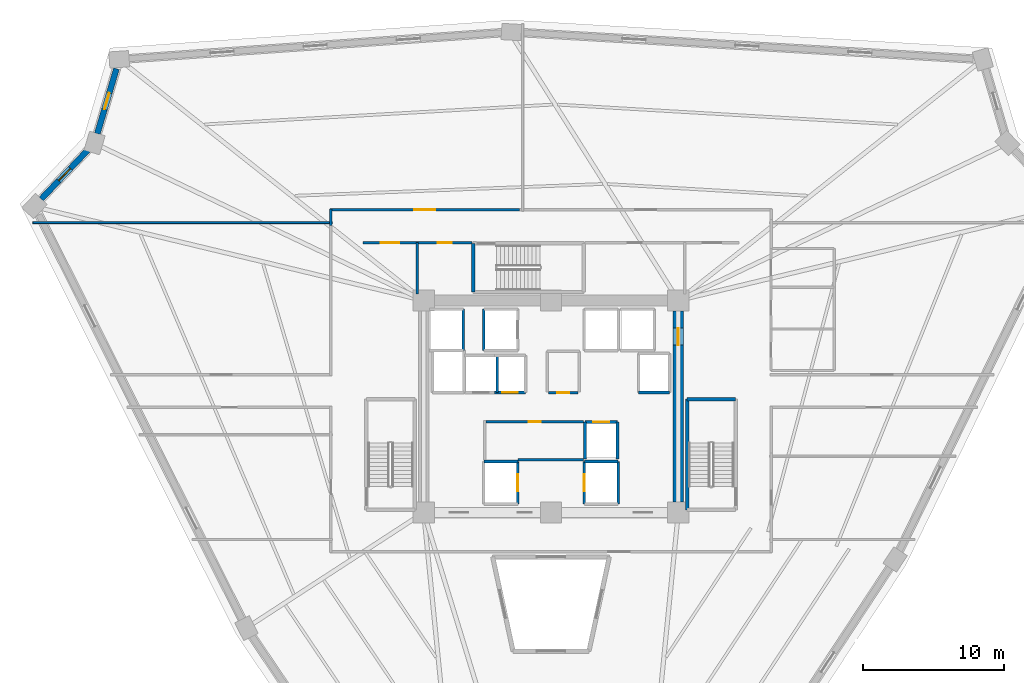
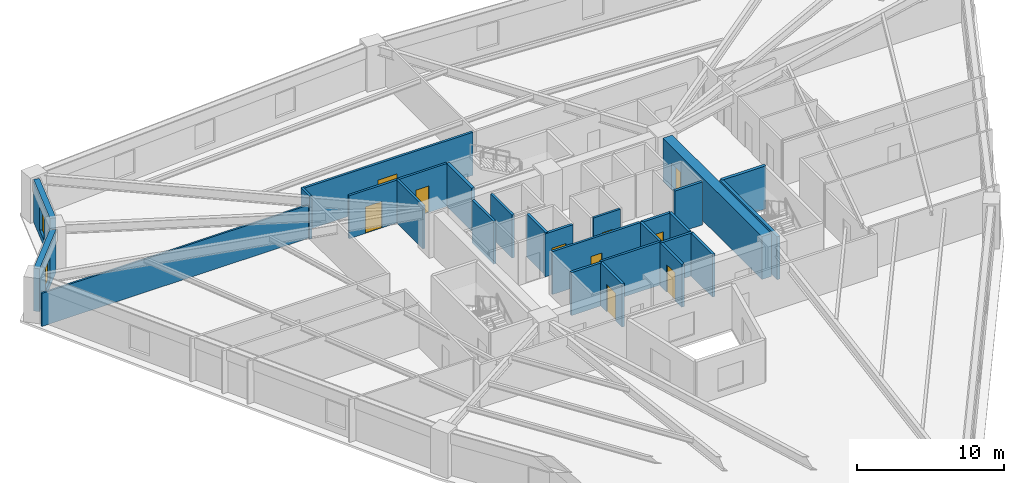
# One storey, part 4 of 7: 28 walls, 10 doors, 2 windows, 12 openings.
"""IFC4 building model written with IfcOpenShell, lengths in metres."""

import ifcopenshell
import ifcopenshell.guid

model = None  # the IFC model being written
_history = None  # IfcOwnerHistory: only IFC2X3 demands one
_inside = {}  # id of a spatial element -> (the spatial element, [elements in it])
_under = {}  # id of a project, library or spatial element -> (it, [spatial elements below it])
_declared = {}  # id of a project -> (the project, [libraries it declares])
_typed = {}  # id of a type object -> (the type object, [elements of that type])
_made_of = {}  # id of a material, layer set ... -> (it, [elements and type objects made of it])


def new_model(schema):
    """Start an empty IFC model of exactly this schema.

    Asked for "IFC4X3", IfcOpenShell would pick the latest addendum, in which some entities
    have other attributes; the version numbers below select the first issue.
    IFC2X3 requires an IfcOwnerHistory on every rooted entity: one is made here for all.
    """
    global model, _history
    if schema == "IFC4X3":
        model = ifcopenshell.file(schema_version=(4, 3, 0, 0))
    else:
        model = ifcopenshell.file(schema=schema)
    _inside.clear()
    _under.clear()
    _declared.clear()
    _typed.clear()
    _made_of.clear()
    _history = None
    if model.schema == "IFC2X3":
        org = make("IfcOrganization", Name="unknown")
        user = make(
            "IfcPersonAndOrganization",
            ThePerson=make("IfcPerson", FamilyName="unknown"),
            TheOrganization=org,
        )
        app = make(
            "IfcApplication",
            ApplicationDeveloper=org,
            Version="unknown",
            ApplicationFullName="unknown",
            ApplicationIdentifier="unknown",
        )
        _history = make(
            "IfcOwnerHistory",
            OwningUser=user,
            OwningApplication=app,
            ChangeAction="ADDED",
            CreationDate=0,
        )
    return model


def make(cls, **values):
    """One entity of the class cls with the attributes given. An attribute that is None is left unset."""
    return model.create_entity(
        cls, **{name: value for name, value in values.items() if value is not None}
    )


def rooted(cls, **values):
    """An entity with a GlobalId (a new one), such as an element, a storey or a relation."""
    return make(cls, GlobalId=ifcopenshell.guid.new(), OwnerHistory=_history, **values)


def si_unit(unit_type, name, prefix=None):
    """IfcSIUnit, for example si_unit("LENGTHUNIT", "METRE", prefix="MILLI")."""
    return make("IfcSIUnit", UnitType=unit_type, Prefix=prefix, Name=name)


def assignment(units):
    """IfcUnitAssignment: the units of a project."""
    return None if units is None else make("IfcUnitAssignment", Units=units)


def point(xyz):
    """IfcCartesianPoint."""
    return None if xyz is None else make("IfcCartesianPoint", Coordinates=xyz)


def direction(xyz):
    """IfcDirection."""
    return None if xyz is None else make("IfcDirection", DirectionRatios=xyz)


def frame(location, z_axis=None, x_axis=None):
    """IfcAxis2Placement3D, a coordinate frame: its origin and axes. An axis left out is left unset."""
    return make(
        "IfcAxis2Placement3D",
        Location=point(location),
        Axis=direction(z_axis),
        RefDirection=direction(x_axis),
    )


def frame_2d(location, x_axis=None):
    """IfcAxis2Placement2D, a coordinate frame in the plane: its origin and x axis."""
    return make(
        "IfcAxis2Placement2D", Location=point(location), RefDirection=direction(x_axis)
    )


def origin():
    """The frame at (0, 0, 0) with its axes left unset."""
    return frame((0.0, 0.0, 0.0))


def place(relative_to, where):
    """IfcLocalPlacement: puts the frame where relative to a parent placement (None: the world)."""
    return make(
        "IfcLocalPlacement", PlacementRelTo=relative_to, RelativePlacement=where
    )


def context(
    kind, dimensions, precision=None, world=None, true_north=None, identifier=None
):
    """IfcGeometricRepresentationContext, for example the 3D "Model" context."""
    return make(
        "IfcGeometricRepresentationContext",
        ContextIdentifier=identifier,
        ContextType=kind,
        CoordinateSpaceDimension=dimensions,
        Precision=precision,
        WorldCoordinateSystem=world,
        TrueNorth=true_north,
    )


def subcontext(parent, identifier, kind, view, scale=None):
    """IfcGeometricRepresentationSubContext, for example "Body" below "Model"."""
    return make(
        "IfcGeometricRepresentationSubContext",
        ContextIdentifier=identifier,
        ContextType=kind,
        ParentContext=parent,
        TargetScale=scale,
        TargetView=view,
    )


def project(units=None, contexts=None):
    """IfcProject with its units and contexts."""
    return rooted(
        "IfcProject",
        Name="project",
        RepresentationContexts=contexts,
        UnitsInContext=assignment(units),
    )


def spatial(cls, under=None, at=None, **own):
    """A site, building, storey or space (cls), placed at a placement, below another one or the project."""
    s = rooted(cls, ObjectPlacement=at, **own)
    if under is not None:
        _under.setdefault(under.id(), (under, []))[1].append(s)
    return s


def profile(cls, at=None, kind="AREA", **sizes):
    """A parametric profile (cls). Its sizes go by their IFC names, for example OverallWidth=200.0."""
    return make(cls, ProfileType=kind, Position=at, **sizes)


def rectangle(**sizes):
    """IfcRectangleProfileDef."""
    return profile("IfcRectangleProfileDef", **sizes)


def extrude(swept, where, along, depth):
    """IfcExtrudedAreaSolid: the profile swept, set in the frame where, extruded along a direction by depth."""
    return make(
        "IfcExtrudedAreaSolid",
        SweptArea=swept,
        Position=where,
        ExtrudedDirection=direction(along),
        Depth=depth,
    )


def shape(context_of_items, identifier, shape_type, items):
    """IfcShapeRepresentation: the items that make up one representation, for example the "Body"."""
    return make(
        "IfcShapeRepresentation",
        ContextOfItems=context_of_items,
        RepresentationIdentifier=identifier,
        RepresentationType=shape_type,
        Items=items,
    )


def source(mapping_origin, context_of_items, identifier, shape_type, items):
    """IfcRepresentationMap: a shape defined once, which mapped items show again and again."""
    return make(
        "IfcRepresentationMap",
        MappingOrigin=mapping_origin,
        MappedRepresentation=shape(context_of_items, identifier, shape_type, items),
    )


def transform(
    local_origin,
    x_axis=None,
    y_axis=None,
    z_axis=None,
    scale=None,
    scale2=None,
    scale3=None,
    uniform=True,
):
    """IfcCartesianTransformationOperator3D, or its non-uniform kind. x_axis, y_axis, z_axis: its Axis1, 2, 3."""
    if uniform:
        return make(
            "IfcCartesianTransformationOperator3D",
            Axis1=direction(x_axis),
            Axis2=direction(y_axis),
            LocalOrigin=point(local_origin),
            Scale=scale,
            Axis3=direction(z_axis),
        )
    return make(
        "IfcCartesianTransformationOperator3DnonUniform",
        Axis1=direction(x_axis),
        Axis2=direction(y_axis),
        LocalOrigin=point(local_origin),
        Scale=scale,
        Axis3=direction(z_axis),
        Scale2=scale2,
        Scale3=scale3,
    )


def mapped(mapping_source, mapping_target):
    """IfcMappedItem: shows the shape of a source again, moved by a transform."""
    return make(
        "IfcMappedItem", MappingSource=mapping_source, MappingTarget=mapping_target
    )


def material(Name=None, Category=None):
    """IfcMaterial."""
    return make("IfcMaterial", Name=Name, Category=Category)


def layer(
    of_material, thickness, ventilated=None, Name=None, Category=None, Priority=None
):
    """IfcMaterialLayer: one layer of a wall or slab, of a material (None: an air gap)."""
    return make(
        "IfcMaterialLayer",
        Material=of_material,
        LayerThickness=thickness,
        IsVentilated=ventilated,
        Name=Name,
        Category=Category,
        Priority=Priority,
    )


def layer_set(layers, Name=None):
    """IfcMaterialLayerSet."""
    return make("IfcMaterialLayerSet", MaterialLayers=layers, LayerSetName=Name)


def made_of(thing, what):
    """Note that an element or type object is made of a material, layer set ...; save() writes the relation."""
    if what is not None:
        _made_of.setdefault(what.id(), (what, []))[1].append(thing)
    return thing


def type_object(cls, material=None, **own):
    """A type object (cls), such as IfcWallType, which elements share."""
    return made_of(rooted(cls, **own), material)


def element(
    cls,
    number,
    at=None,
    inside=None,
    cuts=None,
    type_object=None,
    material=None,
    context=None,
    identifier="Body",
    shape_type=None,
    held_by="IfcProductDefinitionShape",
    body=None,
    shapes=None,
    **own,
):
    """One element of the class cls, such as IfcWall. Its Tag is "e" and its number.

    at: its placement. inside: the storey or other place that contains it. cuts: it is an
    opening in that element (IfcRelVoidsElement). A single representation is given by context,
    identifier, shape_type and body (its items); several are given by shapes. held_by: the class
    of the entity that holds the representations. save() writes the other relations.
    """
    e = rooted(cls, Tag="e%d" % number, ObjectPlacement=at, **own)
    if body is not None:
        shapes = [shape(context, identifier, shape_type, body)]
    if shapes is not None:
        e.Representation = make(held_by, Representations=shapes)
    if inside is not None:
        _inside.setdefault(inside.id(), (inside, []))[1].append(e)
    if cuts is not None:
        rooted(
            "IfcRelVoidsElement", RelatingBuildingElement=cuts, RelatedOpeningElement=e
        )
    if type_object is not None:
        _typed.setdefault(type_object.id(), (type_object, []))[1].append(e)
    return made_of(e, material)


def fill(opening, filler):
    """IfcRelFillsElement: the door or window that sits in an opening."""
    return rooted(
        "IfcRelFillsElement",
        RelatingOpeningElement=opening,
        RelatedBuildingElement=filler,
    )


def aggregate(whole, parts):
    """IfcRelAggregates: a whole, such as a stair, and the parts it consists of."""
    return rooted("IfcRelAggregates", RelatingObject=whole, RelatedObjects=parts)


def save(model, path):
    """Write the relations noted so far, then the file.

    IfcRelAggregates (storeys below a building ...), IfcRelContainedInSpatialStructure (elements
    in a storey), IfcRelDefinesByType, IfcRelAssociatesMaterial and IfcRelDeclares: one each for
    every whole, place, type object, material and project.
    """
    for whole, parts in _under.values():
        aggregate(whole, parts)
    for where, things in _inside.values():
        rooted(
            "IfcRelContainedInSpatialStructure",
            RelatedElements=things,
            RelatingStructure=where,
        )
    for kind, things in _typed.values():
        rooted("IfcRelDefinesByType", RelatedObjects=things, RelatingType=kind)
    for what, things in _made_of.values():
        rooted("IfcRelAssociatesMaterial", RelatedObjects=things, RelatingMaterial=what)
    for by, libraries in _declared.values():
        rooted("IfcRelDeclares", RelatingContext=by, RelatedDefinitions=libraries)
    model.write(path)


model = new_model("IFC4")

# Units and contexts
model_context = context("Model", 3, precision=1e-05, world=origin(), true_north=direction((0.0, 1.0)))
body_context = subcontext(model_context, "Body", "Model", "MODEL_VIEW")
ifc_project = project(units=[si_unit("LENGTHUNIT", "METRE"), si_unit("AREAUNIT", "SQUARE_METRE"), si_unit("VOLUMEUNIT", "CUBIC_METRE"), si_unit("PLANEANGLEUNIT", "RADIAN"), si_unit("MASSUNIT", "GRAM", prefix="KILO")], contexts=[model_context])

# Site, building, storey
site_placement = place(None, origin())
site = spatial("IfcSite", under=ifc_project, at=site_placement, CompositionType="ELEMENT")
building_placement = place(site_placement, origin())
building = spatial("IfcBuilding", under=site, at=building_placement, Name="Liaohun Quay Tower", CompositionType="ELEMENT")
storey_placement = place(building_placement, frame((0.0, 0.0, 120.75)))
storey = spatial("IfcBuildingStorey", under=building, at=storey_placement, Name="L31", CompositionType="ELEMENT", Elevation=120.75)

# Wall, opening, door
ifc_material_1 = material(Name="Concrete C60", Category="concrete")
ifc_layer_1 = layer(ifc_material_1, 0.75, Name="Concrete C60", Category="concrete")
ifc_layer_set_1 = layer_set([ifc_layer_1], Name="Concrete C60")
wall_type_1 = type_object("IfcWallType", Name="WAL-COR-Z2", PredefinedType="SHEAR", material=ifc_layer_set_1)
wall_1_placement = place(storey_placement, frame((69.0, 60.75, 0.0), z_axis=(0.0, 0.0, 1.0), x_axis=(0.0, -1.0, 0.0)))
wall_1 = element("IfcWall", 1, at=wall_1_placement, inside=storey, type_object=wall_type_1, Name="L31 Central Core Shear Wall E", PredefinedType="SHEAR", context=body_context, shape_type="SweptSolid", body=[
    extrude(rectangle(XDim=13.5, YDim=0.75, at=frame_2d((6.75, 0.0))), origin(), (0.0, 0.0, 1.0), 3.570068359375),
])
shared_shape_1 = source(origin(), body_context, "Body", "SweptSolid", [
    extrude(rectangle(XDim=1.199951171875, YDim=2.199951171875, at=frame_2d((0.60009765625, 1.10009765625))), frame((0.0, 0.385009765625, 0.0), z_axis=(0.0, -1.0, 0.0), x_axis=(1.0, 0.0, 0.0)), (0.0, 0.0, 1.0), 0.77001953125),
])
opening_1_placement = place(wall_1_placement, frame((1.199951171875, 0.0, 0.0)))
opening_1 = element("IfcOpeningElement", 2, at=opening_1_placement, cuts=wall_1, Name="Opening SD1", PredefinedType="OPENING", context=body_context, shape_type="MappedRepresentation", body=[
    mapped(shared_shape_1, transform((0.0, 0.0, 0.0), x_axis=(1.0, 0.0, 0.0), y_axis=(0.0, 1.0, 0.0), z_axis=(0.0, 0.0, 1.0), scale=1.0)),
])
ifc_material_2 = material(Name="Galvanised steel fire door", Category="steel")
door_type_1 = type_object("IfcDoorType", Name="DOR-STR-1200", OperationType="NOTDEFINED", PredefinedType="DOOR", material=ifc_material_2)
shared_shape_2 = source(origin(), body_context, "Body", "SweptSolid", [
    extrude(rectangle(XDim=1.199951171875, YDim=2.199951171875, at=frame_2d((0.60009765625, 1.10009765625))), frame((0.0, 0.02490234375, 0.0), z_axis=(0.0, -1.0, 0.0), x_axis=(1.0, 0.0, 0.0)), (0.0, 0.0, 1.0), 0.050048828125),
])
door_1_placement = place(opening_1_placement, origin())
door_1 = element("IfcDoor", 3, at=door_1_placement, inside=storey, type_object=door_type_1, Name="L31 North-East Core Lobby Smokeproof Door", OperationType="SINGLE_SWING_LEFT", OverallHeight=2.199951171875, OverallWidth=1.199951171875, PredefinedType="DOOR", context=body_context, shape_type="MappedRepresentation", body=[
    mapped(shared_shape_2, transform((0.0, 0.0, 0.0), x_axis=(1.0, 0.0, 0.0), y_axis=(0.0, 1.0, 0.0), z_axis=(0.0, 0.0, 1.0), scale=1.0)),
])
fill(opening_1, door_1)

# Wall, opening, window
ifc_material_3 = material(Name="Precast concrete C50 insulated sandwich", Category="concrete")
ifc_layer_2 = layer(ifc_material_3, 0.419921875, Name="Precast concrete C50 insulated sandwich", Category="concrete")
ifc_layer_set_2 = layer_set([ifc_layer_2], Name="Precast concrete C50 insulated sandwich")
wall_type_2 = type_object("IfcWallType", Name="WAL-EXT-Z12", PredefinedType="SOLIDWALL", material=ifc_layer_set_2)
wall_2_placement = place(storey_placement, frame((29.278076171875, 77.881103515625, 0.0), z_axis=(0.0, 0.0, 1.0), x_axis=(-0.282666457409, -0.959218261844, 0.0)))
wall_2 = element("IfcWall", 4, at=wall_2_placement, inside=storey, type_object=wall_type_2, Name="L31 Brutalist Precast Pier Wall 08", PredefinedType="SOLIDWALL", context=body_context, shape_type="SweptSolid", body=[
    extrude(rectangle(XDim=4.783203125, YDim=0.419921875, at=frame_2d((2.3916015625, 0.0))), origin(), (0.0, 0.0, 1.0), 3.570068359375),
])
shared_shape_3 = source(origin(), body_context, "Body", "SweptSolid", [
    extrude(rectangle(XDim=1.199951171875, YDim=1.89990234375, at=frame_2d((0.60009765625, 0.949951171875))), frame((0.0, 0.219970703125, 0.0), z_axis=(0.0, -1.0, 0.0), x_axis=(1.0, 0.0, 0.0)), (0.0, 0.0, 1.0), 0.43994140625),
])
opening_2_placement = place(wall_2_placement, frame((1.7919921875, 0.0, 0.550048828125)))
opening_2 = element("IfcOpeningElement", 5, at=opening_2_placement, cuts=wall_2, Name="Opening W05", PredefinedType="OPENING", context=body_context, shape_type="MappedRepresentation", body=[
    mapped(shared_shape_3, transform((0.0, 0.0, 0.0), x_axis=(1.0, 0.0, 0.0), y_axis=(0.0, 1.0, 0.0), z_axis=(0.0, 0.0, 1.0), scale=1.0)),
])
ifc_material_4 = material(Name="Triple Low-E corner notch glazing", Category="glass")
window_type = type_object("IfcWindowType", Name="WIN-NOTCH", PartitioningType="SINGLE_PANEL", PredefinedType="WINDOW", material=ifc_material_4)
shared_shape_4 = source(origin(), body_context, "Body", "SweptSolid", [
    extrude(rectangle(XDim=1.199951171875, YDim=1.89990234375, at=frame_2d((0.60009765625, 0.949951171875))), frame((0.0, 0.030029296875, 0.0), z_axis=(0.0, -1.0, 0.0), x_axis=(1.0, 0.0, 0.0)), (0.0, 0.0, 1.0), 0.06005859375),
])
window_1_placement = place(opening_2_placement, origin())
window_1 = element("IfcWindow", 6, at=window_1_placement, inside=storey, type_object=window_type, Name="L31 Corner Notch Window W05-08", OverallHeight=1.89990234375, OverallWidth=1.199951171875, PartitioningType="SINGLE_PANEL", PredefinedType="WINDOW", context=body_context, shape_type="MappedRepresentation", body=[
    mapped(shared_shape_4, transform((0.0, 0.0, 0.0), x_axis=(1.0, 0.0, 0.0), y_axis=(0.0, 1.0, 0.0), z_axis=(0.0, 0.0, 1.0), scale=1.0)),
])
fill(opening_2, window_1)

wall_3_placement = place(storey_placement, frame((27.2548828125, 72.131103515625, 0.0), z_axis=(0.0, 0.0, 1.0), x_axis=(-0.689175152742, -0.724594789412, 0.0)))
wall_3 = element("IfcWall", 7, at=wall_3_placement, inside=storey, type_object=wall_type_2, Name="L31 Brutalist Precast Pier Wall 09", PredefinedType="SOLIDWALL", context=body_context, shape_type="SweptSolid", body=[
    extrude(rectangle(XDim=4.776611328125, YDim=0.419921875, at=frame_2d((2.38818359375, 0.0))), origin(), (0.0, 0.0, 1.0), 3.570068359375),
])
opening_3_placement = place(wall_3_placement, frame((1.7880859375, 0.0, 0.550048828125)))
opening_3 = element("IfcOpeningElement", 8, at=opening_3_placement, cuts=wall_3, Name="Opening W05", PredefinedType="OPENING", context=body_context, shape_type="MappedRepresentation", body=[
    mapped(shared_shape_3, transform((0.0, 0.0, 0.0), x_axis=(1.0, 0.0, 0.0), y_axis=(0.0, 1.0, 0.0), z_axis=(0.0, 0.0, 1.0), scale=1.0)),
])
window_2_placement = place(opening_3_placement, origin())
window_2 = element("IfcWindow", 9, at=window_2_placement, inside=storey, type_object=window_type, Name="L31 Corner Notch Window W05-09", OverallHeight=1.89990234375, OverallWidth=1.199951171875, PartitioningType="SINGLE_PANEL", PredefinedType="WINDOW", context=body_context, shape_type="MappedRepresentation", body=[
    mapped(shared_shape_4, transform((0.0, 0.0, 0.0), x_axis=(1.0, 0.0, 0.0), y_axis=(0.0, 1.0, 0.0), z_axis=(0.0, 0.0, 1.0), scale=1.0)),
])
fill(opening_3, window_2)

# Wall, opening, door
ifc_material_5 = material(Name="Autoclaved aerated concrete blockwork", Category="masonry")
ifc_layer_3 = layer(ifc_material_5, 0.179931640625, Name="Autoclaved aerated concrete blockwork", Category="masonry")
ifc_layer_set_3 = layer_set([ifc_layer_3], Name="Autoclaved aerated concrete blockwork")
wall_type_3 = type_object("IfcWallType", Name="WAL-PRT-COR", PredefinedType="PARTITIONING", material=ifc_layer_set_3)
wall_4_placement = place(storey_placement, frame((55.389892578125, 52.919921875, 0.0), z_axis=(0.0, 0.0, 1.0), x_axis=(1.0, 0.0, 0.0)))
wall_4 = element("IfcWall", 10, at=wall_4_placement, inside=storey, type_object=wall_type_3, Name="L31 Interior Partition Wall 001", PredefinedType="PARTITIONING", context=body_context, shape_type="SweptSolid", body=[
    extrude(rectangle(XDim=6.91015625, YDim=0.179931640625, at=frame_2d((3.455078125, 0.0))), origin(), (0.0, 0.0, 1.0), 3.570068359375),
])
shared_shape_5 = source(origin(), body_context, "Body", "SweptSolid", [
    extrude(rectangle(XDim=0.85009765625, YDim=2.10009765625, at=frame_2d((0.425048828125, 1.050048828125))), frame((0.0, 0.099853515625, 0.0), z_axis=(0.0, -1.0, 0.0), x_axis=(1.0, 0.0, 0.0)), (0.0, 0.0, 1.0), 0.199951171875),
])
opening_4_placement = place(wall_4_placement, frame((3.034912109375, 0.0, 0.0)))
opening_4 = element("IfcOpeningElement", 11, at=opening_4_placement, cuts=wall_4, Name="Opening AD1", PredefinedType="OPENING", context=body_context, shape_type="MappedRepresentation", body=[
    mapped(shared_shape_5, transform((0.0, 0.0, 0.0), x_axis=(1.0, 0.0, 0.0), y_axis=(0.0, 1.0, 0.0), z_axis=(0.0, 0.0, 1.0), scale=1.0)),
])
ifc_material_6 = material(Name="Steel riser inspection fire door", Category="steel")
door_type_2 = type_object("IfcDoorType", Name="DOR-SHF-850", OperationType="NOTDEFINED", PredefinedType="DOOR", material=ifc_material_6)
shared_shape_6 = source(origin(), body_context, "Body", "SweptSolid", [
    extrude(rectangle(XDim=0.85009765625, YDim=2.10009765625, at=frame_2d((0.425048828125, 1.050048828125))), frame((0.0, 0.02490234375, 0.0), z_axis=(0.0, -1.0, 0.0), x_axis=(1.0, 0.0, 0.0)), (0.0, 0.0, 1.0), 0.050048828125),
])
door_2_placement = place(opening_4_placement, origin())
door_2 = element("IfcDoor", 12, at=door_2_placement, inside=storey, type_object=door_type_2, Name="L31 Core Tenant Storage and Archive Room Door", OperationType="SINGLE_SWING_RIGHT", OverallHeight=2.10009765625, OverallWidth=0.85009765625, PredefinedType="DOOR", context=body_context, shape_type="MappedRepresentation", body=[
    mapped(shared_shape_6, transform((0.0, 0.0, 0.0), x_axis=(1.0, 0.0, 0.0), y_axis=(0.0, 1.0, 0.0), z_axis=(0.0, 0.0, 1.0), scale=1.0)),
])
fill(opening_4, door_2)

wall_5_placement = place(storey_placement, frame((59.81005859375, 54.97998046875, 0.0), z_axis=(0.0, 0.0, 1.0), x_axis=(1.0, 0.0, 0.0)))
wall_5 = element("IfcWall", 13, at=wall_5_placement, inside=storey, type_object=wall_type_3, Name="L31 Interior Partition Wall 002", PredefinedType="PARTITIONING", context=body_context, shape_type="SweptSolid", body=[
    extrude(rectangle(XDim=2.10986328125, YDim=0.179931640625, at=frame_2d((1.054931640625, 0.0))), origin(), (0.0, 0.0, 1.0), 3.570068359375),
])
opening_5_placement = place(wall_5_placement, frame((0.635009765625, 0.0, 0.0)))
opening_5 = element("IfcOpeningElement", 14, at=opening_5_placement, cuts=wall_5, Name="Opening AD1", PredefinedType="OPENING", context=body_context, shape_type="MappedRepresentation", body=[
    mapped(shared_shape_5, transform((0.0, 0.0, 0.0), x_axis=(1.0, 0.0, 0.0), y_axis=(0.0, 1.0, 0.0), z_axis=(0.0, 0.0, 1.0), scale=1.0)),
])
door_3_placement = place(opening_5_placement, origin())
door_3 = element("IfcDoor", 15, at=door_3_placement, inside=storey, type_object=door_type_2, Name="L31 Core Electrical and Telecom Riser Room Door", OperationType="SINGLE_SWING_LEFT", OverallHeight=2.10009765625, OverallWidth=0.85009765625, PredefinedType="DOOR", context=body_context, shape_type="MappedRepresentation", body=[
    mapped(shared_shape_6, transform((0.0, 0.0, 0.0), x_axis=(1.0, 0.0, 0.0), y_axis=(0.0, 1.0, 0.0), z_axis=(0.0, 0.0, 1.0), scale=1.0)),
])
fill(opening_5, door_3)

wall_6_placement = place(storey_placement, frame((50.5400390625, 65.580078125, 0.0), z_axis=(0.0, 0.0, 1.0), x_axis=(1.0, 0.0, 0.0)))
wall_6 = element("IfcWall", 16, at=wall_6_placement, inside=storey, type_object=wall_type_3, Name="L31 Interior Partition Wall 006", PredefinedType="PARTITIONING", context=body_context, shape_type="SweptSolid", body=[
    extrude(rectangle(XDim=3.869873046875, YDim=0.179931640625, at=frame_2d((1.93505859375, 0.0))), origin(), (0.0, 0.0, 1.0), 3.570068359375),
])
shared_shape_7 = source(origin(), body_context, "Body", "SweptSolid", [
    extrude(rectangle(XDim=1.0, YDim=2.199951171875, at=frame_2d((0.5, 1.10009765625))), frame((0.0, 0.099853515625, 0.0), z_axis=(0.0, -1.0, 0.0), x_axis=(1.0, 0.0, 0.0)), (0.0, 0.0, 1.0), 0.199951171875),
])
opening_6_placement = place(wall_6_placement, frame((1.43505859375, 0.0, 0.0)))
opening_6 = element("IfcOpeningElement", 17, at=opening_6_placement, cuts=wall_6, Name="Opening OD1", PredefinedType="OPENING", context=body_context, shape_type="MappedRepresentation", body=[
    mapped(shared_shape_7, transform((0.0, 0.0, 0.0), x_axis=(1.0, 0.0, 0.0), y_axis=(0.0, 1.0, 0.0), z_axis=(0.0, 0.0, 1.0), scale=1.0)),
])
ifc_material_7 = material(Name="Solid-core oak veneer timber leaf in steel frame", Category="steel")
door_type_3 = type_object("IfcDoorType", Name="DOR-OFF-1000", OperationType="NOTDEFINED", PredefinedType="DOOR", material=ifc_material_7)
shared_shape_8 = source(origin(), body_context, "Body", "SweptSolid", [
    extrude(rectangle(XDim=1.0, YDim=2.199951171875, at=frame_2d((0.5, 1.10009765625))), frame((0.0, 0.02490234375, 0.0), z_axis=(0.0, -1.0, 0.0), x_axis=(1.0, 0.0, 0.0)), (0.0, 0.0, 1.0), 0.050048828125),
])
door_4_placement = place(opening_6_placement, origin())
door_4 = element("IfcDoor", 18, at=door_4_placement, inside=storey, type_object=door_type_3, Name="L31 North-West Print and Telecom Room Door", OperationType="SINGLE_SWING_LEFT", OverallHeight=2.199951171875, OverallWidth=1.0, PredefinedType="DOOR", context=body_context, shape_type="MappedRepresentation", body=[
    mapped(shared_shape_8, transform((0.0, 0.0, 0.0), x_axis=(1.0, 0.0, 0.0), y_axis=(0.0, 1.0, 0.0), z_axis=(0.0, 0.0, 1.0), scale=1.0)),
])
fill(opening_6, door_4)

wall_7_placement = place(storey_placement, frame((46.699951171875, 65.580078125, 0.0), z_axis=(0.0, 0.0, 1.0), x_axis=(1.0, 0.0, 0.0)))
wall_7 = element("IfcWall", 19, at=wall_7_placement, inside=storey, type_object=wall_type_3, Name="L31 Interior Partition Wall 008", PredefinedType="PARTITIONING", context=body_context, shape_type="SweptSolid", body=[
    extrude(rectangle(XDim=3.840087890625, YDim=0.179931640625, at=frame_2d((1.919921875, 0.0))), origin(), (0.0, 0.0, 1.0), 3.570068359375),
])
shared_shape_9 = source(origin(), body_context, "Body", "SweptSolid", [
    extrude(rectangle(XDim=1.300048828125, YDim=2.199951171875, at=frame_2d((0.64990234375, 1.10009765625))), frame((0.0, 0.099853515625, 0.0), z_axis=(0.0, -1.0, 0.0), x_axis=(1.0, 0.0, 0.0)), (0.0, 0.0, 1.0), 0.199951171875),
])
opening_7_placement = place(wall_7_placement, frame((1.27001953125, 0.0, 0.0)))
opening_7 = element("IfcOpeningElement", 20, at=opening_7_placement, cuts=wall_7, Name="Opening FD1", PredefinedType="OPENING", context=body_context, shape_type="MappedRepresentation", body=[
    mapped(shared_shape_9, transform((0.0, 0.0, 0.0), x_axis=(1.0, 0.0, 0.0), y_axis=(0.0, 1.0, 0.0), z_axis=(0.0, 0.0, 1.0), scale=1.0)),
])
ifc_material_8 = material(Name="Galvanised steel smokeproof fire door", Category="steel")
door_type_4 = type_object("IfcDoorType", Name="DOR-FFL-1300", OperationType="NOTDEFINED", PredefinedType="DOOR", material=ifc_material_8)
shared_shape_10 = source(origin(), body_context, "Body", "SweptSolid", [
    extrude(rectangle(XDim=1.300048828125, YDim=2.199951171875, at=frame_2d((0.64990234375, 1.10009765625))), frame((0.0, 0.02490234375, 0.0), z_axis=(0.0, -1.0, 0.0), x_axis=(1.0, 0.0, 0.0)), (0.0, 0.0, 1.0), 0.050048828125),
])
door_5_placement = place(opening_7_placement, origin())
door_5 = element("IfcDoor", 21, at=door_5_placement, inside=storey, type_object=door_type_4, Name="L31 West Core Vestibule Door", OperationType="SINGLE_SWING_LEFT", OverallHeight=2.199951171875, OverallWidth=1.300048828125, PredefinedType="DOOR", context=body_context, shape_type="MappedRepresentation", body=[
    mapped(shared_shape_10, transform((0.0, 0.0, 0.0), x_axis=(1.0, 0.0, 0.0), y_axis=(0.0, 1.0, 0.0), z_axis=(0.0, 0.0, 1.0), scale=1.0)),
])
fill(opening_7, door_5)

wall_8_placement = place(storey_placement, frame((44.3701171875, 67.909912109375, 0.0), z_axis=(0.0, 0.0, 1.0), x_axis=(1.0, 0.0, 0.0)))
wall_8 = element("IfcWall", 22, at=wall_8_placement, inside=storey, type_object=wall_type_3, Name="L31 Interior Partition Wall 012", PredefinedType="PARTITIONING", context=body_context, shape_type="SweptSolid", body=[
    extrude(rectangle(XDim=13.414794921875, YDim=0.179931640625, at=frame_2d((6.70751953125, 0.0))), origin(), (0.0, 0.0, 1.0), 3.570068359375),
])
shared_shape_11 = source(origin(), body_context, "Body", "SweptSolid", [
    extrude(rectangle(XDim=1.5, YDim=2.199951171875, at=frame_2d((0.75, 1.10009765625))), frame((0.0, 0.099853515625, 0.0), z_axis=(0.0, -1.0, 0.0), x_axis=(1.0, 0.0, 0.0)), (0.0, 0.0, 1.0), 0.199951171875),
])
opening_8_placement = place(wall_8_placement, frame((5.95703125, 0.0, 0.0)))
opening_8 = element("IfcOpeningElement", 23, at=opening_8_placement, cuts=wall_8, Name="Opening OD2", PredefinedType="OPENING", context=body_context, shape_type="MappedRepresentation", body=[
    mapped(shared_shape_11, transform((0.0, 0.0, 0.0), x_axis=(1.0, 0.0, 0.0), y_axis=(0.0, 1.0, 0.0), z_axis=(0.0, 0.0, 1.0), scale=1.0)),
])
ifc_material_9 = material(Name="Acoustic oak veneer double door")
door_type_5 = type_object("IfcDoorType", Name="DOR-OFF-1500", OperationType="DOUBLE_DOOR_SINGLE_SWING", PredefinedType="DOOR", material=ifc_material_9)
shared_shape_12 = source(origin(), body_context, "Body", "SweptSolid", [
    extrude(rectangle(XDim=1.5, YDim=2.199951171875, at=frame_2d((0.75, 1.10009765625))), frame((0.0, 0.02490234375, 0.0), z_axis=(0.0, -1.0, 0.0), x_axis=(1.0, 0.0, 0.0)), (0.0, 0.0, 1.0), 0.050048828125),
])
door_6_placement = place(opening_8_placement, origin())
door_6 = element("IfcDoor", 24, at=door_6_placement, inside=storey, type_object=door_type_5, Name="L31 Technical Reference Library 03 Door", OperationType="DOUBLE_DOOR_SINGLE_SWING", OverallHeight=2.199951171875, OverallWidth=1.5, PredefinedType="DOOR", context=body_context, shape_type="MappedRepresentation", body=[
    mapped(shared_shape_12, transform((0.0, 0.0, 0.0), x_axis=(1.0, 0.0, 0.0), y_axis=(0.0, 1.0, 0.0), z_axis=(0.0, 0.0, 1.0), scale=1.0)),
])
fill(opening_8, door_6)

# Walls
wall_9_placement = place(storey_placement, frame((50.5400390625, 61.949951171875, 0.0), z_axis=(0.0, 0.0, 1.0), x_axis=(0.0, 1.0, 0.0)))
element("IfcWall", 25, at=wall_9_placement, inside=storey, type_object=wall_type_3, Name="L31 Interior Partition Wall 027", PredefinedType="PARTITIONING", context=body_context, shape_type="SweptSolid", body=[
    extrude(rectangle(XDim=3.630126953125, YDim=0.179931640625, at=frame_2d((1.81494140625, 0.0))), origin(), (0.0, 0.0, 1.0), 3.570068359375),
])
wall_10_placement = place(storey_placement, frame((44.43994140625, 66.784912109375, 0.0), z_axis=(0.0, 0.0, 1.0), x_axis=(0.0, 1.0, 0.0)))
element("IfcWall", 26, at=wall_10_placement, inside=storey, type_object=wall_type_3, Name="L31 Interior Partition Wall 031", PredefinedType="PARTITIONING", context=body_context, shape_type="SweptSolid", body=[
    extrude(rectangle(XDim=1.195068359375, YDim=0.179931640625, at=frame_2d((0.59765625, 0.0))), origin(), (0.0, 0.0, 1.0), 3.570068359375),
])
wall_11_placement = place(storey_placement, frame((57.64990234375, 50.25, 0.0), z_axis=(0.0, 0.0, 1.0), x_axis=(1.0, 0.0, 0.0)))
element("IfcWall", 27, at=wall_11_placement, inside=storey, type_object=wall_type_3, Name="L31 Interior Partition Wall 045", PredefinedType="PARTITIONING", context=body_context, shape_type="SweptSolid", body=[
    extrude(rectangle(XDim=4.650146484375, YDim=0.179931640625, at=frame_2d((2.3251953125, 0.0))), origin(), (0.0, 0.0, 1.0), 3.570068359375),
])
ifc_material_10 = material(Name="Gypsum board on twin steel studs", Category="steel")
ifc_layer_4 = layer(ifc_material_10, 0.139892578125, Name="Gypsum board on twin steel studs", Category="steel")
ifc_layer_set_4 = layer_set([ifc_layer_4], Name="Gypsum board on twin steel studs")
wall_type_4 = type_object("IfcWallType", Name="WAL-PRT-OFF", PredefinedType="PARTITIONING", material=ifc_layer_set_4)
wall_12_placement = place(storey_placement, frame((44.5400390625, 67.0, 0.0), z_axis=(0.0, 0.0, 1.0), x_axis=(-1.0, 0.0, 0.0)))
element("IfcWall", 28, at=wall_12_placement, inside=storey, type_object=wall_type_4, Name="L31 Interior Partition Wall 039", PredefinedType="PARTITIONING", context=body_context, shape_type="SweptSolid", body=[
    extrude(rectangle(XDim=21.169921875, YDim=0.139892578125, at=frame_2d((10.5849609375, 0.0))), origin(), (0.0, 0.0, 1.0), 2.7548828125),
])
ifc_material_11 = material(Name="Concrete C50", Category="concrete")
ifc_layer_5 = layer(ifc_material_11, 0.239990234375, Name="Concrete C50", Category="concrete")
ifc_layer_set_5 = layer_set([ifc_layer_5], Name="Concrete C50")
wall_type_5 = type_object("IfcWallType", Name="WAL-SHF-200", PredefinedType="SOLIDWALL", material=ifc_layer_set_5)
wall_13_placement = place(storey_placement, frame((73.06005859375, 54.52001953125, 0.0), z_axis=(0.0, 0.0, 1.0), x_axis=(-1.0, 0.0, 0.0)))
element("IfcWall", 29, at=wall_13_placement, inside=storey, type_object=wall_type_5, Name="L31 Stairwell ST-2 Structural Core Wall N", PredefinedType="SOLIDWALL", context=body_context, shape_type="SweptSolid", body=[
    extrude(rectangle(XDim=3.43994140625, YDim=0.239990234375, at=frame_2d((1.719970703125, 0.0))), origin(), (0.0, 0.0, 1.0), 3.570068359375),
])
wall_14_placement = place(storey_placement, frame((69.6201171875, 54.52001953125, 0.0), z_axis=(0.0, 0.0, 1.0), x_axis=(0.0, -1.0, 0.0)))
element("IfcWall", 30, at=wall_14_placement, inside=storey, type_object=wall_type_5, Name="L31 Stairwell ST-2 Structural Core Wall W", PredefinedType="SOLIDWALL", context=body_context, shape_type="SweptSolid", body=[
    extrude(rectangle(XDim=7.820068359375, YDim=0.239990234375, at=frame_2d((3.91015625, 0.0))), origin(), (0.0, 0.0, 1.0), 3.570068359375),
])
wall_15_placement = place(storey_placement, frame((54.5, 65.5400390625, 0.0), z_axis=(0.0, 0.0, 1.0), x_axis=(0.0, -1.0, 0.0)))
element("IfcWall", 31, at=wall_15_placement, inside=storey, type_object=wall_type_5, Name="L31 Stairwell ST-3 Structural Core Wall W", PredefinedType="SOLIDWALL", context=body_context, shape_type="SweptSolid", body=[
    extrude(rectangle(XDim=3.43994140625, YDim=0.239990234375, at=frame_2d((1.719970703125, 0.0))), origin(), (0.0, 0.0, 1.0), 3.570068359375),
])

# Wall, opening, door
wall_16_placement = place(storey_placement, frame((57.64990234375, 47.1201171875, 0.0), z_axis=(0.0, 0.0, 1.0), x_axis=(0.0, 1.0, 0.0)))
wall_16 = element("IfcWall", 32, at=wall_16_placement, inside=storey, type_object=wall_type_5, Name="L31 Lift FF-01 Hoistway Wall E", PredefinedType="SOLIDWALL", context=body_context, shape_type="SweptSolid", body=[
    extrude(rectangle(XDim=3.0, YDim=0.199951171875, at=frame_2d((1.5, 0.0))), origin(), (0.0, 0.0, 1.0), 3.570068359375),
])
shared_shape_13 = source(origin(), body_context, "Body", "SweptSolid", [
    extrude(rectangle(XDim=1.199951171875, YDim=2.300048828125, at=frame_2d((0.60009765625, 1.14990234375))), frame((0.0, 0.10986328125, 0.0), z_axis=(0.0, -1.0, 0.0), x_axis=(1.0, 0.0, 0.0)), (0.0, 0.0, 1.0), 0.219970703125),
])
opening_9_placement = place(wall_16_placement, frame((0.89990234375, 0.0, 0.0)))
opening_9 = element("IfcOpeningElement", 33, at=opening_9_placement, cuts=wall_16, Name="Opening LD2", PredefinedType="OPENING", context=body_context, shape_type="MappedRepresentation", body=[
    mapped(shared_shape_13, transform((0.0, 0.0, 0.0), x_axis=(1.0, 0.0, 0.0), y_axis=(0.0, 1.0, 0.0), z_axis=(0.0, 0.0, 1.0), scale=1.0)),
])
ifc_material_12 = material(Name="Brushed stainless steel stretcher landing door", Category="steel")
door_type_6 = type_object("IfcDoorType", Name="DOR-LFT-1200", OperationType="SLIDING_TO_LEFT", PredefinedType="DOOR", material=ifc_material_12)
shared_shape_14 = source(origin(), body_context, "Body", "SweptSolid", [
    extrude(rectangle(XDim=1.199951171875, YDim=2.300048828125, at=frame_2d((0.60009765625, 1.14990234375))), frame((0.0, 0.02490234375, 0.0), z_axis=(0.0, -1.0, 0.0), x_axis=(1.0, 0.0, 0.0)), (0.0, 0.0, 1.0), 0.050048828125),
])
door_7_placement = place(opening_9_placement, origin())
door_7 = element("IfcDoor", 34, at=door_7_placement, inside=storey, type_object=door_type_6, Name="L31 Lift FF-01 Sliding Landing Door", OperationType="SLIDING_TO_LEFT", OverallHeight=2.300048828125, OverallWidth=1.199951171875, PredefinedType="DOOR", context=body_context, shape_type="MappedRepresentation", body=[
    mapped(shared_shape_14, transform((0.0, 0.0, 0.0), x_axis=(1.0, 0.0, 0.0), y_axis=(0.0, 1.0, 0.0), z_axis=(0.0, 0.0, 1.0), scale=1.0)),
])
fill(opening_9, door_7)

# Walls
wall_17_placement = place(storey_placement, frame((57.64990234375, 50.1201171875, 0.0), z_axis=(0.0, 0.0, 1.0), x_axis=(-1.0, 0.0, 0.0)))
element("IfcWall", 35, at=wall_17_placement, inside=storey, type_object=wall_type_5, Name="L31 Lift FF-01 Hoistway Wall N", PredefinedType="SOLIDWALL", context=body_context, shape_type="SweptSolid", body=[
    extrude(rectangle(XDim=2.39990234375, YDim=0.199951171875, at=frame_2d((1.199951171875, 0.0))), origin(), (0.0, 0.0, 1.0), 3.570068359375),
])
wall_18_placement = place(storey_placement, frame((64.75, 47.1201171875, 0.0), z_axis=(0.0, 0.0, 1.0), x_axis=(0.0, 1.0, 0.0)))
element("IfcWall", 36, at=wall_18_placement, inside=storey, type_object=wall_type_5, Name="L31 Lift FF-02 Hoistway Wall E", PredefinedType="SOLIDWALL", context=body_context, shape_type="SweptSolid", body=[
    extrude(rectangle(XDim=3.0, YDim=0.199951171875, at=frame_2d((1.5, 0.0))), origin(), (0.0, 0.0, 1.0), 3.570068359375),
])
wall_19_placement = place(storey_placement, frame((64.75, 50.1201171875, 0.0), z_axis=(0.0, 0.0, 1.0), x_axis=(-1.0, 0.0, 0.0)))
element("IfcWall", 37, at=wall_19_placement, inside=storey, type_object=wall_type_5, Name="L31 Lift FF-02 Hoistway Wall N", PredefinedType="SOLIDWALL", context=body_context, shape_type="SweptSolid", body=[
    extrude(rectangle(XDim=2.39990234375, YDim=0.199951171875, at=frame_2d((1.199951171875, 0.0))), origin(), (0.0, 0.0, 1.0), 3.570068359375),
])

# Wall, opening, door
wall_20_placement = place(storey_placement, frame((62.35009765625, 50.1201171875, 0.0), z_axis=(0.0, 0.0, 1.0), x_axis=(0.0, -1.0, 0.0)))
wall_20 = element("IfcWall", 38, at=wall_20_placement, inside=storey, type_object=wall_type_5, Name="L31 Lift FF-02 Hoistway Wall W", PredefinedType="SOLIDWALL", context=body_context, shape_type="SweptSolid", body=[
    extrude(rectangle(XDim=3.0, YDim=0.199951171875, at=frame_2d((1.5, 0.0))), origin(), (0.0, 0.0, 1.0), 3.570068359375),
])
opening_10_placement = place(wall_20_placement, frame((0.89990234375, 0.0, 0.0)))
opening_10 = element("IfcOpeningElement", 39, at=opening_10_placement, cuts=wall_20, Name="Opening LD2", PredefinedType="OPENING", context=body_context, shape_type="MappedRepresentation", body=[
    mapped(shared_shape_13, transform((0.0, 0.0, 0.0), x_axis=(1.0, 0.0, 0.0), y_axis=(0.0, 1.0, 0.0), z_axis=(0.0, 0.0, 1.0), scale=1.0)),
])
door_8_placement = place(opening_10_placement, origin())
door_8 = element("IfcDoor", 40, at=door_8_placement, inside=storey, type_object=door_type_6, Name="L31 Lift FF-02 Sliding Landing Door", OperationType="SLIDING_TO_LEFT", OverallHeight=2.300048828125, OverallWidth=1.199951171875, PredefinedType="DOOR", context=body_context, shape_type="MappedRepresentation", body=[
    mapped(shared_shape_14, transform((0.0, 0.0, 0.0), x_axis=(1.0, 0.0, 0.0), y_axis=(0.0, 1.0, 0.0), z_axis=(0.0, 0.0, 1.0), scale=1.0)),
])
fill(opening_10, door_8)

# Walls
for number, where, z_axis, x_axis, name in (
    (41, (55.25, 60.8798828125, 0.0), (0.0, 0.0, 1.0), (0.0, -1.0, 0.0), "L31 Lift FF-03 Hoistway Wall W"),
    (42, (53.800048828125, 57.949951171875, 0.0), (0.0, 0.0, 1.0), (0.0, 1.0, 0.0), "L31 Lift SH-01 Hoistway Wall E"),
):
    element("IfcWall", number, at=place(storey_placement, frame(where, z_axis=z_axis, x_axis=x_axis)), inside=storey, type_object=wall_type_5, Name=name, PredefinedType="SOLIDWALL", context=body_context, shape_type="SweptSolid", body=[
        extrude(rectangle(XDim=2.929931640625, YDim=0.199951171875, at=frame_2d((1.46484375, 0.0))), origin(), (0.0, 0.0, 1.0), 3.570068359375),
    ])
wall_21_placement = place(storey_placement, frame((66.199951171875, 55.0, 0.0), z_axis=(0.0, 0.0, 1.0), x_axis=(1.0, 0.0, 0.0)))
element("IfcWall", 43, at=wall_21_placement, inside=storey, type_object=wall_type_5, Name="L31 Lift SH-03 Hoistway Wall S", PredefinedType="SOLIDWALL", context=body_context, shape_type="SweptSolid", body=[
    extrude(rectangle(XDim=2.179931640625, YDim=0.199951171875, at=frame_2d((1.08984375, 0.0))), origin(), (0.0, 0.0, 1.0), 3.570068359375),
])
wall_22_placement = place(storey_placement, frame((64.699951171875, 50.300048828125, 0.0), z_axis=(0.0, 0.0, 1.0), x_axis=(0.0, 1.0, 0.0)))
element("IfcWall", 44, at=wall_22_placement, inside=storey, type_object=wall_type_5, Name="L31 Lift PL-2A Hoistway Wall E", PredefinedType="SOLIDWALL", context=body_context, shape_type="SweptSolid", body=[
    extrude(rectangle(XDim=2.599853515625, YDim=0.199951171875, at=frame_2d((1.2998046875, 0.0))), origin(), (0.0, 0.0, 1.0), 3.570068359375),
])

# Wall, opening, door
wall_23_placement = place(storey_placement, frame((64.699951171875, 52.89990234375, 0.0), z_axis=(0.0, 0.0, 1.0), x_axis=(-1.0, 0.0, 0.0)))
wall_23 = element("IfcWall", 45, at=wall_23_placement, inside=storey, type_object=wall_type_5, Name="L31 Lift PL-2A Hoistway Wall N", PredefinedType="SOLIDWALL", context=body_context, shape_type="SweptSolid", body=[
    extrude(rectangle(XDim=2.300048828125, YDim=0.199951171875, at=frame_2d((1.14990234375, 0.0))), origin(), (0.0, 0.0, 1.0), 3.570068359375),
])
shared_shape_15 = source(origin(), body_context, "Body", "SweptSolid", [
    extrude(rectangle(XDim=1.10009765625, YDim=2.199951171875, at=frame_2d((0.550048828125, 1.10009765625))), frame((0.0, 0.10986328125, 0.0), z_axis=(0.0, -1.0, 0.0), x_axis=(1.0, 0.0, 0.0)), (0.0, 0.0, 1.0), 0.219970703125),
])
opening_11_placement = place(wall_23_placement, frame((0.60009765625, 0.0, 0.0)))
opening_11 = element("IfcOpeningElement", 46, at=opening_11_placement, cuts=wall_23, Name="Opening LD1", PredefinedType="OPENING", context=body_context, shape_type="MappedRepresentation", body=[
    mapped(shared_shape_15, transform((0.0, 0.0, 0.0), x_axis=(1.0, 0.0, 0.0), y_axis=(0.0, 1.0, 0.0), z_axis=(0.0, 0.0, 1.0), scale=1.0)),
])
ifc_material_13 = material(Name="Brushed stainless steel landing door", Category="steel")
door_type_7 = type_object("IfcDoorType", Name="DOR-LFT-1100", OperationType="SLIDING_TO_LEFT", PredefinedType="DOOR", material=ifc_material_13)
shared_shape_16 = source(origin(), body_context, "Body", "SweptSolid", [
    extrude(rectangle(XDim=1.10009765625, YDim=2.199951171875, at=frame_2d((0.550048828125, 1.10009765625))), frame((0.0, 0.02490234375, 0.0), z_axis=(0.0, -1.0, 0.0), x_axis=(1.0, 0.0, 0.0)), (0.0, 0.0, 1.0), 0.050048828125),
])
door_9_placement = place(opening_11_placement, origin())
door_9 = element("IfcDoor", 47, at=door_9_placement, inside=storey, type_object=door_type_7, Name="L31 Lift PL-2A Sliding Landing Door", OperationType="SLIDING_TO_LEFT", OverallHeight=2.199951171875, OverallWidth=1.10009765625, PredefinedType="DOOR", context=body_context, shape_type="MappedRepresentation", body=[
    mapped(shared_shape_16, transform((0.0, 0.0, 0.0), x_axis=(1.0, 0.0, 0.0), y_axis=(0.0, 1.0, 0.0), z_axis=(0.0, 0.0, 1.0), scale=1.0)),
])
fill(opening_11, door_9)

# Walls
wall_24_placement = place(storey_placement, frame((62.39990234375, 52.89990234375, 0.0), z_axis=(0.0, 0.0, 1.0), x_axis=(0.0, -1.0, 0.0)))
element("IfcWall", 48, at=wall_24_placement, inside=storey, type_object=wall_type_5, Name="L31 Lift PL-2A Hoistway Wall W", PredefinedType="SOLIDWALL", context=body_context, shape_type="SweptSolid", body=[
    extrude(rectangle(XDim=2.599853515625, YDim=0.199951171875, at=frame_2d((1.2998046875, 0.0))), origin(), (0.0, 0.0, 1.0), 3.570068359375),
])
wall_25_placement = place(storey_placement, frame((56.199951171875, 55.0, 0.0), z_axis=(0.0, 0.0, 1.0), x_axis=(0.0, 1.0, 0.0)))
element("IfcWall", 49, at=wall_25_placement, inside=storey, type_object=wall_type_5, Name="L31 Lift PL-2B Hoistway Wall E", PredefinedType="SOLIDWALL", context=body_context, shape_type="SweptSolid", body=[
    extrude(rectangle(XDim=2.60009765625, YDim=0.199951171875, at=frame_2d((1.300048828125, 0.0))), origin(), (0.0, 0.0, 1.0), 3.570068359375),
])

# Wall, opening, door
wall_26_placement = place(storey_placement, frame((56.0, 55.0, 0.0), z_axis=(0.0, 0.0, 1.0), x_axis=(1.0, 0.0, 0.0)))
wall_26 = element("IfcWall", 50, at=wall_26_placement, inside=storey, type_object=wall_type_5, Name="L31 Lift PL-2C Hoistway Wall S", PredefinedType="SOLIDWALL", context=body_context, shape_type="SweptSolid", body=[
    extrude(rectangle(XDim=2.199951171875, YDim=0.199951171875, at=frame_2d((1.10009765625, 0.0))), origin(), (0.0, 0.0, 1.0), 3.570068359375),
])
opening_12_placement = place(wall_26_placement, frame((0.550048828125, 0.0, 0.0)))
opening_12 = element("IfcOpeningElement", 51, at=opening_12_placement, cuts=wall_26, Name="Opening LD1", PredefinedType="OPENING", context=body_context, shape_type="MappedRepresentation", body=[
    mapped(shared_shape_15, transform((0.0, 0.0, 0.0), x_axis=(1.0, 0.0, 0.0), y_axis=(0.0, 1.0, 0.0), z_axis=(0.0, 0.0, 1.0), scale=1.0)),
])
door_10_placement = place(opening_12_placement, origin())
door_10 = element("IfcDoor", 52, at=door_10_placement, inside=storey, type_object=door_type_7, Name="L31 Lift PL-2C Sliding Landing Door", OperationType="SLIDING_TO_LEFT", OverallHeight=2.199951171875, OverallWidth=1.10009765625, PredefinedType="DOOR", context=body_context, shape_type="MappedRepresentation", body=[
    mapped(shared_shape_16, transform((0.0, 0.0, 0.0), x_axis=(1.0, 0.0, 0.0), y_axis=(0.0, 1.0, 0.0), z_axis=(0.0, 0.0, 1.0), scale=1.0)),
])
fill(opening_12, door_10)

save(model, "model.ifc")
